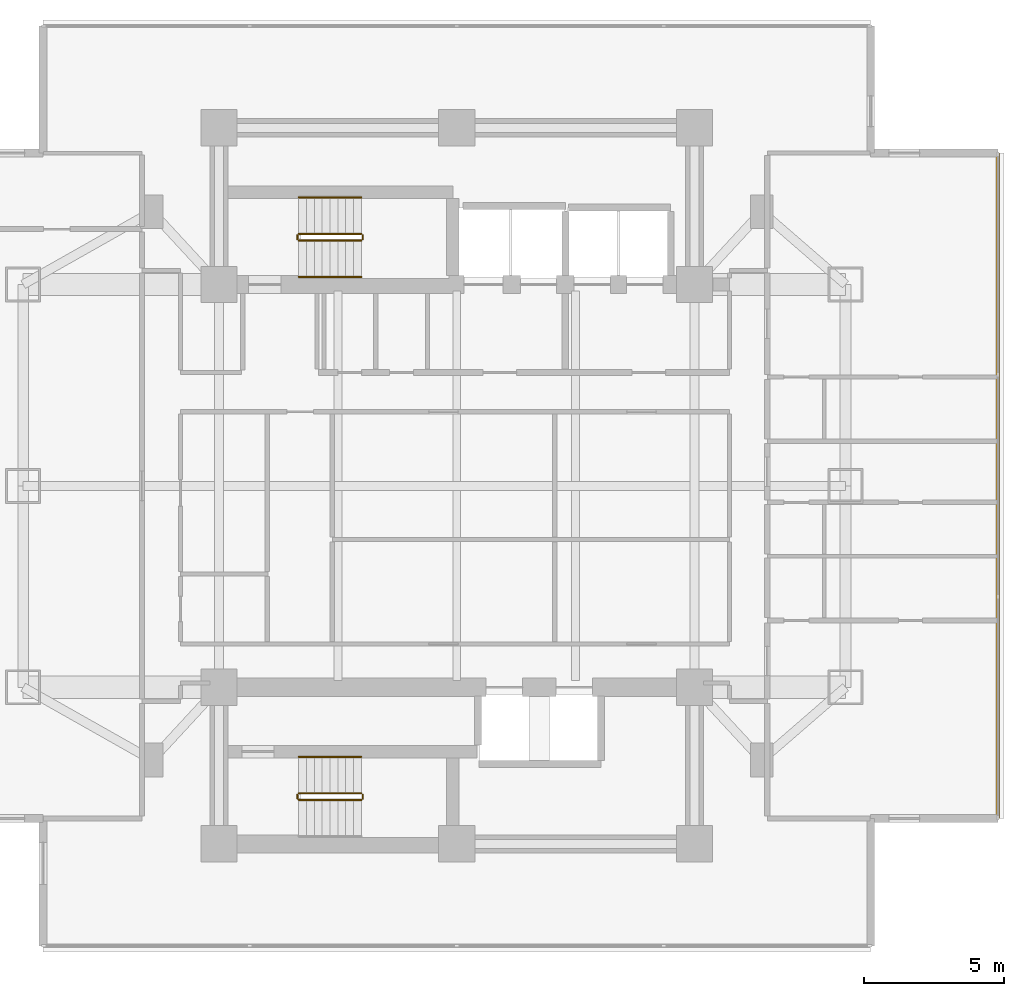
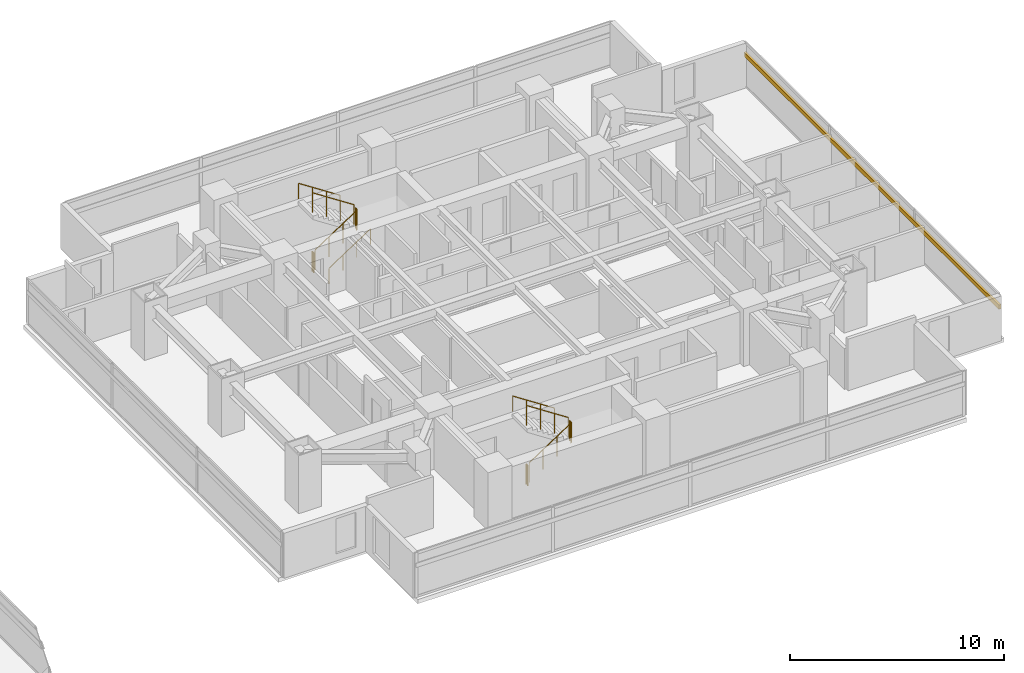
# One storey, part 25 of 26: 11 railings, 1 shading device.
"""IFC4 building model written with IfcOpenShell, lengths in metres."""

import ifcopenshell
import ifcopenshell.guid

model = None  # the IFC model being written
_history = None  # IfcOwnerHistory: only IFC2X3 demands one
_inside = {}  # id of a spatial element -> (the spatial element, [elements in it])
_under = {}  # id of a project, library or spatial element -> (it, [spatial elements below it])
_declared = {}  # id of a project -> (the project, [libraries it declares])
_typed = {}  # id of a type object -> (the type object, [elements of that type])
_made_of = {}  # id of a material, layer set ... -> (it, [elements and type objects made of it])


def new_model(schema):
    """Start an empty IFC model of exactly this schema.

    Asked for "IFC4X3", IfcOpenShell would pick the latest addendum, in which some entities
    have other attributes; the version numbers below select the first issue.
    IFC2X3 requires an IfcOwnerHistory on every rooted entity: one is made here for all.
    """
    global model, _history
    if schema == "IFC4X3":
        model = ifcopenshell.file(schema_version=(4, 3, 0, 0))
    else:
        model = ifcopenshell.file(schema=schema)
    _inside.clear()
    _under.clear()
    _declared.clear()
    _typed.clear()
    _made_of.clear()
    _history = None
    if model.schema == "IFC2X3":
        org = make("IfcOrganization", Name="unknown")
        user = make(
            "IfcPersonAndOrganization",
            ThePerson=make("IfcPerson", FamilyName="unknown"),
            TheOrganization=org,
        )
        app = make(
            "IfcApplication",
            ApplicationDeveloper=org,
            Version="unknown",
            ApplicationFullName="unknown",
            ApplicationIdentifier="unknown",
        )
        _history = make(
            "IfcOwnerHistory",
            OwningUser=user,
            OwningApplication=app,
            ChangeAction="ADDED",
            CreationDate=0,
        )
    return model


def make(cls, **values):
    """One entity of the class cls with the attributes given. An attribute that is None is left unset."""
    return model.create_entity(
        cls, **{name: value for name, value in values.items() if value is not None}
    )


def rooted(cls, **values):
    """An entity with a GlobalId (a new one), such as an element, a storey or a relation."""
    return make(cls, GlobalId=ifcopenshell.guid.new(), OwnerHistory=_history, **values)


def si_unit(unit_type, name, prefix=None):
    """IfcSIUnit, for example si_unit("LENGTHUNIT", "METRE", prefix="MILLI")."""
    return make("IfcSIUnit", UnitType=unit_type, Prefix=prefix, Name=name)


def assignment(units):
    """IfcUnitAssignment: the units of a project."""
    return None if units is None else make("IfcUnitAssignment", Units=units)


def point(xyz):
    """IfcCartesianPoint."""
    return None if xyz is None else make("IfcCartesianPoint", Coordinates=xyz)


def direction(xyz):
    """IfcDirection."""
    return None if xyz is None else make("IfcDirection", DirectionRatios=xyz)


def frame(location, z_axis=None, x_axis=None):
    """IfcAxis2Placement3D, a coordinate frame: its origin and axes. An axis left out is left unset."""
    return make(
        "IfcAxis2Placement3D",
        Location=point(location),
        Axis=direction(z_axis),
        RefDirection=direction(x_axis),
    )


def frame_2d(location, x_axis=None):
    """IfcAxis2Placement2D, a coordinate frame in the plane: its origin and x axis."""
    return make(
        "IfcAxis2Placement2D", Location=point(location), RefDirection=direction(x_axis)
    )


def origin():
    """The frame at (0, 0, 0) with its axes left unset."""
    return frame((0.0, 0.0, 0.0))


def origin_2d():
    """The frame at (0, 0) in the plane with its x axis left unset."""
    return frame_2d((0.0, 0.0))


def place(relative_to, where):
    """IfcLocalPlacement: puts the frame where relative to a parent placement (None: the world)."""
    return make(
        "IfcLocalPlacement", PlacementRelTo=relative_to, RelativePlacement=where
    )


def context(
    kind, dimensions, precision=None, world=None, true_north=None, identifier=None
):
    """IfcGeometricRepresentationContext, for example the 3D "Model" context."""
    return make(
        "IfcGeometricRepresentationContext",
        ContextIdentifier=identifier,
        ContextType=kind,
        CoordinateSpaceDimension=dimensions,
        Precision=precision,
        WorldCoordinateSystem=world,
        TrueNorth=true_north,
    )


def subcontext(parent, identifier, kind, view, scale=None):
    """IfcGeometricRepresentationSubContext, for example "Body" below "Model"."""
    return make(
        "IfcGeometricRepresentationSubContext",
        ContextIdentifier=identifier,
        ContextType=kind,
        ParentContext=parent,
        TargetScale=scale,
        TargetView=view,
    )


def project(units=None, contexts=None):
    """IfcProject with its units and contexts."""
    return rooted(
        "IfcProject",
        Name="project",
        RepresentationContexts=contexts,
        UnitsInContext=assignment(units),
    )


def spatial(cls, under=None, at=None, **own):
    """A site, building, storey or space (cls), placed at a placement, below another one or the project."""
    s = rooted(cls, ObjectPlacement=at, **own)
    if under is not None:
        _under.setdefault(under.id(), (under, []))[1].append(s)
    return s


def profile(cls, at=None, kind="AREA", **sizes):
    """A parametric profile (cls). Its sizes go by their IFC names, for example OverallWidth=200.0."""
    return make(cls, ProfileType=kind, Position=at, **sizes)


def rectangle(**sizes):
    """IfcRectangleProfileDef."""
    return profile("IfcRectangleProfileDef", **sizes)


def circle(**sizes):
    """IfcCircleProfileDef."""
    return profile("IfcCircleProfileDef", **sizes)


def extrude(swept, where, along, depth):
    """IfcExtrudedAreaSolid: the profile swept, set in the frame where, extruded along a direction by depth."""
    return make(
        "IfcExtrudedAreaSolid",
        SweptArea=swept,
        Position=where,
        ExtrudedDirection=direction(along),
        Depth=depth,
    )


def shape(context_of_items, identifier, shape_type, items):
    """IfcShapeRepresentation: the items that make up one representation, for example the "Body"."""
    return make(
        "IfcShapeRepresentation",
        ContextOfItems=context_of_items,
        RepresentationIdentifier=identifier,
        RepresentationType=shape_type,
        Items=items,
    )


def material(Name=None, Category=None):
    """IfcMaterial."""
    return make("IfcMaterial", Name=Name, Category=Category)


def material_profile(
    of_material, cross_section, Name=None, Category=None, Priority=None
):
    """IfcMaterialProfile: a cross section and its material."""
    return make(
        "IfcMaterialProfile",
        Name=Name,
        Material=of_material,
        Profile=cross_section,
        Priority=Priority,
        Category=Category,
    )


def profile_set(profiles, Name=None, composite=None):
    """IfcMaterialProfileSet."""
    return make(
        "IfcMaterialProfileSet",
        Name=Name,
        MaterialProfiles=profiles,
        CompositeProfile=composite,
    )


def made_of(thing, what):
    """Note that an element or type object is made of a material, layer set ...; save() writes the relation."""
    if what is not None:
        _made_of.setdefault(what.id(), (what, []))[1].append(thing)
    return thing


def type_object(cls, material=None, **own):
    """A type object (cls), such as IfcWallType, which elements share."""
    return made_of(rooted(cls, **own), material)


def element(
    cls,
    number,
    at=None,
    inside=None,
    cuts=None,
    type_object=None,
    material=None,
    context=None,
    identifier="Body",
    shape_type=None,
    held_by="IfcProductDefinitionShape",
    body=None,
    shapes=None,
    **own,
):
    """One element of the class cls, such as IfcWall. Its Tag is "e" and its number.

    at: its placement. inside: the storey or other place that contains it. cuts: it is an
    opening in that element (IfcRelVoidsElement). A single representation is given by context,
    identifier, shape_type and body (its items); several are given by shapes. held_by: the class
    of the entity that holds the representations. save() writes the other relations.
    """
    e = rooted(cls, Tag="e%d" % number, ObjectPlacement=at, **own)
    if body is not None:
        shapes = [shape(context, identifier, shape_type, body)]
    if shapes is not None:
        e.Representation = make(held_by, Representations=shapes)
    if inside is not None:
        _inside.setdefault(inside.id(), (inside, []))[1].append(e)
    if cuts is not None:
        rooted(
            "IfcRelVoidsElement", RelatingBuildingElement=cuts, RelatedOpeningElement=e
        )
    if type_object is not None:
        _typed.setdefault(type_object.id(), (type_object, []))[1].append(e)
    return made_of(e, material)


def aggregate(whole, parts):
    """IfcRelAggregates: a whole, such as a stair, and the parts it consists of."""
    return rooted("IfcRelAggregates", RelatingObject=whole, RelatedObjects=parts)


def save(model, path):
    """Write the relations noted so far, then the file.

    IfcRelAggregates (storeys below a building ...), IfcRelContainedInSpatialStructure (elements
    in a storey), IfcRelDefinesByType, IfcRelAssociatesMaterial and IfcRelDeclares: one each for
    every whole, place, type object, material and project.
    """
    for whole, parts in _under.values():
        aggregate(whole, parts)
    for where, things in _inside.values():
        rooted(
            "IfcRelContainedInSpatialStructure",
            RelatedElements=things,
            RelatingStructure=where,
        )
    for kind, things in _typed.values():
        rooted("IfcRelDefinesByType", RelatedObjects=things, RelatingType=kind)
    for what, things in _made_of.values():
        rooted("IfcRelAssociatesMaterial", RelatedObjects=things, RelatingMaterial=what)
    for by, libraries in _declared.values():
        rooted("IfcRelDeclares", RelatingContext=by, RelatedDefinitions=libraries)
    model.write(path)


model = new_model("IFC4")

# Units and contexts
model_context = context("Model", 3, precision=1e-05, world=origin(), true_north=direction((0.0, 1.0)))
body_context = subcontext(model_context, "Body", "Model", "MODEL_VIEW")
ifc_project = project(units=[si_unit("LENGTHUNIT", "METRE"), si_unit("AREAUNIT", "SQUARE_METRE"), si_unit("VOLUMEUNIT", "CUBIC_METRE"), si_unit("PLANEANGLEUNIT", "RADIAN"), si_unit("MASSUNIT", "GRAM", prefix="KILO")], contexts=[model_context])

# Site, building, storey
site_placement = place(None, origin())
site = spatial("IfcSite", under=ifc_project, at=site_placement, CompositionType="ELEMENT")
building_placement = place(site_placement, origin())
building = spatial("IfcBuilding", under=site, at=building_placement, Name="Mirazonda Arch Towers", CompositionType="ELEMENT")
storey_placement = place(building_placement, frame((0.0, 0.0, 78.5)))
storey = spatial("IfcBuildingStorey", under=building, at=storey_placement, Name="L22", CompositionType="ELEMENT", Elevation=78.5)

# Shading device
ifc_material_1 = material(Name="Kiln-Fired Architectural Terracotta", Category="masonry")
ifc_material_profile = material_profile(ifc_material_1, rectangle(XDim=0.1201171875, YDim=0.239990234375, at=origin_2d()), Name="TERRA-BAG-120x240")
ifc_profile_set = profile_set([ifc_material_profile], Name="Kiln-Fired Architectural Terracotta")
shading_device_type = type_object("IfcShadingDeviceType", Name="BAGUETTE-1", PredefinedType="USERDEFINED", material=ifc_profile_set)
shading_device_placement = place(storey_placement, frame((95.843994140625, 16.103515625, 1.84326171875), z_axis=(0.0, 1.0, 0.0), x_axis=(-1.0, 0.0, 0.0)))
element("IfcShadingDevice", 1, at=shading_device_placement, inside=storey, type_object=shading_device_type, Name="L22 Glazed Terracotta Sun-Screen Baguette CW-L22-T2-E", ObjectType="BAGUETTE", PredefinedType="USERDEFINED", context=body_context, shape_type="SweptSolid", body=[
    extrude(rectangle(XDim=0.1201171875, YDim=0.239990234375, at=origin_2d()), origin(), (0.0, 0.0, 1.0), 23.79296875),
])

# Railings
ifc_material_2 = material(Name="Architectural Brushed Steel S355", Category="steel")
railing_type_1 = type_object("IfcRailingType", Name="GUARD-STAIR-1120", PredefinedType="GUARDRAIL", material=ifc_material_2)
railing_1_placement = place(storey_placement, frame((70.85009765625, 36.77001953125, 0.183349609375)))
element("IfcRailing", 2, at=railing_1_placement, inside=storey, type_object=railing_type_1, Name="L22 ST-T2N stair guard 1", PredefinedType="GUARDRAIL", context=body_context, shape_type="SweptSolid", body=[
    extrude(circle(Radius=0.02392578125, at=origin_2d()), frame((0.0, 0.0, 1.1259765625), z_axis=(0.836636935527, 0.0, 0.547757827979), x_axis=(0.0, 1.0, 0.0)), (0.0, 0.0, 1.0), 2.677490234375),
    extrude(circle(Radius=0.02099609375, at=origin_2d()), origin(), (0.0, 0.0, 1.0), 1.101806640625),
    extrude(circle(Radius=0.02099609375, at=origin_2d()), frame((0.74658203125, 0.0, 0.48876953125)), (0.0, 0.0, 1.0), 1.101806640625),
    extrude(circle(Radius=0.02099609375, at=origin_2d()), frame((1.493408203125, 0.0, 0.977783203125)), (0.0, 0.0, 1.0), 1.101806640625),
    extrude(circle(Radius=0.02099609375, at=origin_2d()), frame((2.239990234375, 0.0, 1.466552734375)), (0.0, 0.0, 1.0), 1.101806640625),
])
railing_2_placement = place(storey_placement, frame((73.139892578125, 36.820068359375, 1.64990234375)))
element("IfcRailing", 3, at=railing_2_placement, inside=storey, type_object=railing_type_1, Name="L22 ST-T2N stair guard 2", PredefinedType="GUARDRAIL", context=body_context, shape_type="SweptSolid", body=[
    extrude(circle(Radius=0.02392578125, at=origin_2d()), frame((0.0, 0.0, 1.1259765625), z_axis=(0.0, 1.0, 0.0), x_axis=(-1.0, 0.0, 0.0)), (0.0, 0.0, 1.0), 0.139892578125),
    extrude(circle(Radius=0.02099609375, at=origin_2d()), origin(), (0.0, 0.0, 1.0), 1.101806640625),
    extrude(circle(Radius=0.02099609375, at=origin_2d()), frame((0.0, 0.139892578125, 0.0)), (0.0, 0.0, 1.0), 1.101806640625),
])
railing_3_placement = place(storey_placement, frame((73.090087890625, 37.010009765625, 1.833251953125)))
element("IfcRailing", 4, at=railing_3_placement, inside=storey, type_object=railing_type_1, Name="L22 ST-T2N stair guard 3", PredefinedType="GUARDRAIL", context=body_context, shape_type="SweptSolid", body=[
    extrude(circle(Radius=0.02392578125, at=origin_2d()), frame((0.0, 0.0, 1.1259765625), z_axis=(-0.836595146698, 0.0, 0.547821650285), x_axis=(0.0, -1.0, 0.0)), (0.0, 0.0, 1.0), 2.677490234375),
    extrude(circle(Radius=0.02099609375, at=origin_2d()), origin(), (0.0, 0.0, 1.0), 1.101806640625),
    extrude(circle(Radius=0.02099609375, at=origin_2d()), frame((-0.74658203125, 0.0, 0.489013671875)), (0.0, 0.0, 1.0), 1.101806640625),
    extrude(circle(Radius=0.02099609375, at=origin_2d()), frame((-1.493408203125, 0.0, 0.977783203125)), (0.0, 0.0, 1.0), 1.101806640625),
    extrude(circle(Radius=0.02099609375, at=origin_2d()), frame((-2.239990234375, 0.0, 1.466796875)), (0.0, 0.0, 1.0), 1.101806640625),
])
railing_4_placement = place(storey_placement, frame((70.800048828125, 36.820068359375, 0.0)))
element("IfcRailing", 5, at=railing_4_placement, inside=storey, type_object=railing_type_1, Name="L22 ST-T2N stair guard 4", PredefinedType="GUARDRAIL", context=body_context, shape_type="SweptSolid", body=[
    extrude(circle(Radius=0.02392578125, at=origin_2d()), frame((0.0, 0.0, 1.1259765625), z_axis=(0.0, 1.0, 0.0), x_axis=(-1.0, 0.0, 0.0)), (0.0, 0.0, 1.0), 0.139892578125),
    extrude(circle(Radius=0.02099609375, at=origin_2d()), origin(), (0.0, 0.0, 1.0), 1.101806640625),
    extrude(circle(Radius=0.02099609375, at=origin_2d()), frame((0.0, 0.139892578125, 0.0)), (0.0, 0.0, 1.0), 1.101806640625),
])
railing_5_placement = place(storey_placement, frame((70.85009765625, 16.77001953125, 0.183349609375)))
element("IfcRailing", 6, at=railing_5_placement, inside=storey, type_object=railing_type_1, Name="L22 ST-T2S stair guard 1", PredefinedType="GUARDRAIL", context=body_context, shape_type="SweptSolid", body=[
    extrude(circle(Radius=0.02392578125, at=origin_2d()), frame((0.0, 0.0, 1.1259765625), z_axis=(0.836636935527, 0.0, 0.547757827979), x_axis=(0.0, 1.0, 0.0)), (0.0, 0.0, 1.0), 2.677490234375),
    extrude(circle(Radius=0.02099609375, at=origin_2d()), origin(), (0.0, 0.0, 1.0), 1.101806640625),
    extrude(circle(Radius=0.02099609375, at=origin_2d()), frame((0.74658203125, 0.0, 0.48876953125)), (0.0, 0.0, 1.0), 1.101806640625),
    extrude(circle(Radius=0.02099609375, at=origin_2d()), frame((1.493408203125, 0.0, 0.977783203125)), (0.0, 0.0, 1.0), 1.101806640625),
    extrude(circle(Radius=0.02099609375, at=origin_2d()), frame((2.239990234375, 0.0, 1.466552734375)), (0.0, 0.0, 1.0), 1.101806640625),
])
railing_6_placement = place(storey_placement, frame((73.139892578125, 16.820068359375, 1.64990234375)))
element("IfcRailing", 7, at=railing_6_placement, inside=storey, type_object=railing_type_1, Name="L22 ST-T2S stair guard 2", PredefinedType="GUARDRAIL", context=body_context, shape_type="SweptSolid", body=[
    extrude(circle(Radius=0.02392578125, at=origin_2d()), frame((0.0, 0.0, 1.1259765625), z_axis=(0.0, 1.0, 0.0), x_axis=(-1.0, 0.0, 0.0)), (0.0, 0.0, 1.0), 0.139892578125),
    extrude(circle(Radius=0.02099609375, at=origin_2d()), origin(), (0.0, 0.0, 1.0), 1.101806640625),
    extrude(circle(Radius=0.02099609375, at=origin_2d()), frame((0.0, 0.139892578125, 0.0)), (0.0, 0.0, 1.0), 1.101806640625),
])
railing_7_placement = place(storey_placement, frame((73.090087890625, 17.010009765625, 1.833251953125)))
element("IfcRailing", 8, at=railing_7_placement, inside=storey, type_object=railing_type_1, Name="L22 ST-T2S stair guard 3", PredefinedType="GUARDRAIL", context=body_context, shape_type="SweptSolid", body=[
    extrude(circle(Radius=0.02392578125, at=origin_2d()), frame((0.0, 0.0, 1.1259765625), z_axis=(-0.836595146698, 0.0, 0.547821650285), x_axis=(0.0, -1.0, 0.0)), (0.0, 0.0, 1.0), 2.677490234375),
    extrude(circle(Radius=0.02099609375, at=origin_2d()), origin(), (0.0, 0.0, 1.0), 1.101806640625),
    extrude(circle(Radius=0.02099609375, at=origin_2d()), frame((-0.74658203125, 0.0, 0.489013671875)), (0.0, 0.0, 1.0), 1.101806640625),
    extrude(circle(Radius=0.02099609375, at=origin_2d()), frame((-1.493408203125, 0.0, 0.977783203125)), (0.0, 0.0, 1.0), 1.101806640625),
    extrude(circle(Radius=0.02099609375, at=origin_2d()), frame((-2.239990234375, 0.0, 1.466796875)), (0.0, 0.0, 1.0), 1.101806640625),
])
railing_8_placement = place(storey_placement, frame((70.800048828125, 16.820068359375, 0.0)))
element("IfcRailing", 9, at=railing_8_placement, inside=storey, type_object=railing_type_1, Name="L22 ST-T2S stair guard 4", PredefinedType="GUARDRAIL", context=body_context, shape_type="SweptSolid", body=[
    extrude(circle(Radius=0.02392578125, at=origin_2d()), frame((0.0, 0.0, 1.1259765625), z_axis=(0.0, 1.0, 0.0), x_axis=(-1.0, 0.0, 0.0)), (0.0, 0.0, 1.0), 0.139892578125),
    extrude(circle(Radius=0.02099609375, at=origin_2d()), origin(), (0.0, 0.0, 1.0), 1.101806640625),
    extrude(circle(Radius=0.02099609375, at=origin_2d()), frame((0.0, 0.139892578125, 0.0)), (0.0, 0.0, 1.0), 1.101806640625),
])
railing_type_2 = type_object("IfcRailingType", Name="HANDRAIL-915", PredefinedType="HANDRAIL", material=ifc_material_2)
railing_9_placement = place(storey_placement, frame((70.85009765625, 35.469970703125, 0.183349609375)))
element("IfcRailing", 10, at=railing_9_placement, inside=storey, type_object=railing_type_2, Name="L22 ST-T2N stair handrail 1", PredefinedType="HANDRAIL", context=body_context, shape_type="SweptSolid", body=[
    extrude(circle(Radius=0.02392578125, at=origin_2d()), frame((0.0, 0.0, 0.8759765625), z_axis=(0.836636935527, 0.0, 0.547757827979), x_axis=(0.0, 1.0, 0.0)), (0.0, 0.0, 1.0), 2.677490234375),
    extrude(circle(Radius=0.02099609375, at=origin_2d()), origin(), (0.0, 0.0, 1.0), 0.851806640625),
    extrude(circle(Radius=0.02099609375, at=origin_2d()), frame((0.74658203125, 0.0, 0.48876953125)), (0.0, 0.0, 1.0), 0.851806640625),
    extrude(circle(Radius=0.02099609375, at=origin_2d()), frame((1.493408203125, 0.0, 0.977783203125)), (0.0, 0.0, 1.0), 0.851806640625),
    extrude(circle(Radius=0.02099609375, at=origin_2d()), frame((2.239990234375, 0.0, 1.466552734375)), (0.0, 0.0, 1.0), 0.851806640625),
])
for number, where, name in (
    (11, (73.090087890625, 38.31005859375, 1.833251953125), "L22 ST-T2N stair handrail 2"),
    (12, (73.090087890625, 18.31005859375, 1.833251953125), "L22 ST-T2S stair handrail 2"),
):
    element("IfcRailing", number, at=place(storey_placement, frame(where)), inside=storey, type_object=railing_type_2, Name=name, PredefinedType="HANDRAIL", context=body_context, shape_type="SweptSolid", body=[
        extrude(circle(Radius=0.02392578125, at=origin_2d()), frame((0.0, 0.0, 0.8759765625), z_axis=(-0.836595146698, 0.0, 0.547821650285), x_axis=(0.0, -1.0, 0.0)), (0.0, 0.0, 1.0), 2.677490234375),
        extrude(circle(Radius=0.02099609375, at=origin_2d()), origin(), (0.0, 0.0, 1.0), 0.851806640625),
        extrude(circle(Radius=0.02099609375, at=origin_2d()), frame((-0.74658203125, 0.0, 0.489013671875)), (0.0, 0.0, 1.0), 0.851806640625),
        extrude(circle(Radius=0.02099609375, at=origin_2d()), frame((-1.493408203125, 0.0, 0.977783203125)), (0.0, 0.0, 1.0), 0.851806640625),
        extrude(circle(Radius=0.02099609375, at=origin_2d()), frame((-2.239990234375, 0.0, 1.466796875)), (0.0, 0.0, 1.0), 0.851806640625),
    ])

save(model, "model.ifc")
